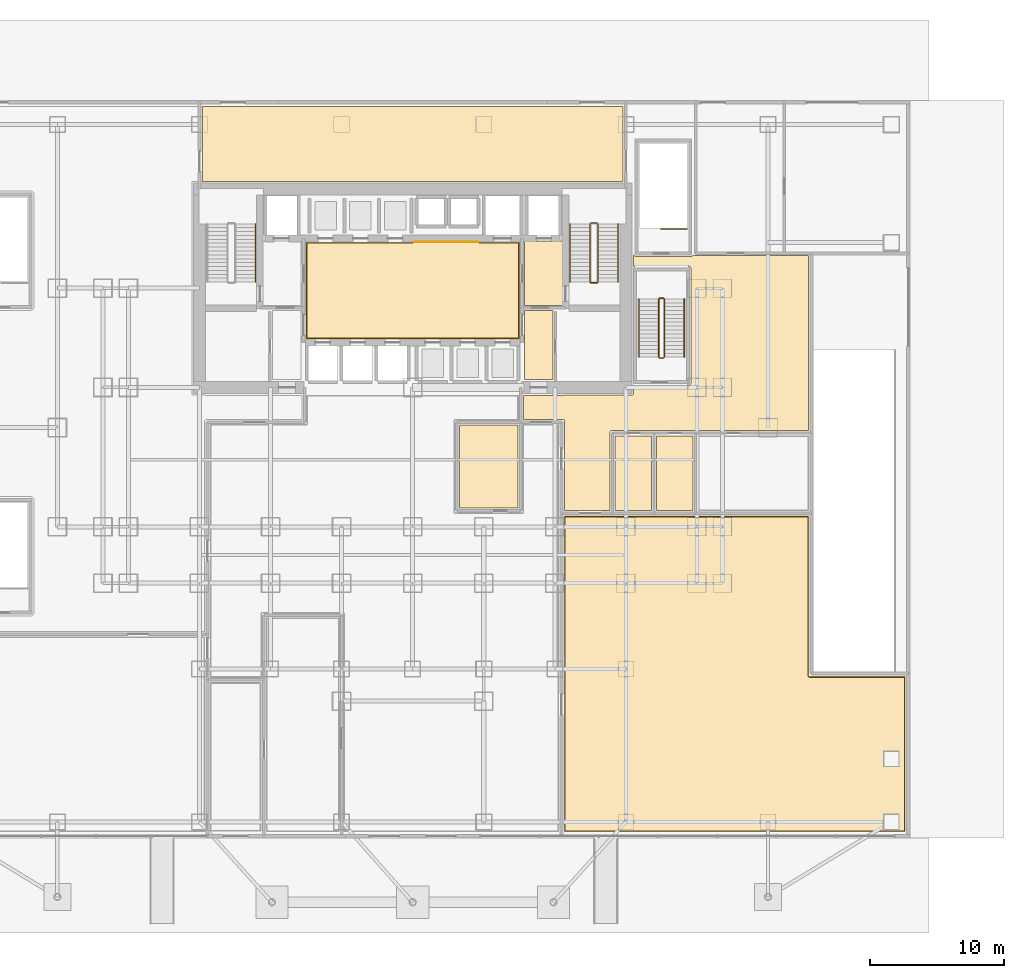
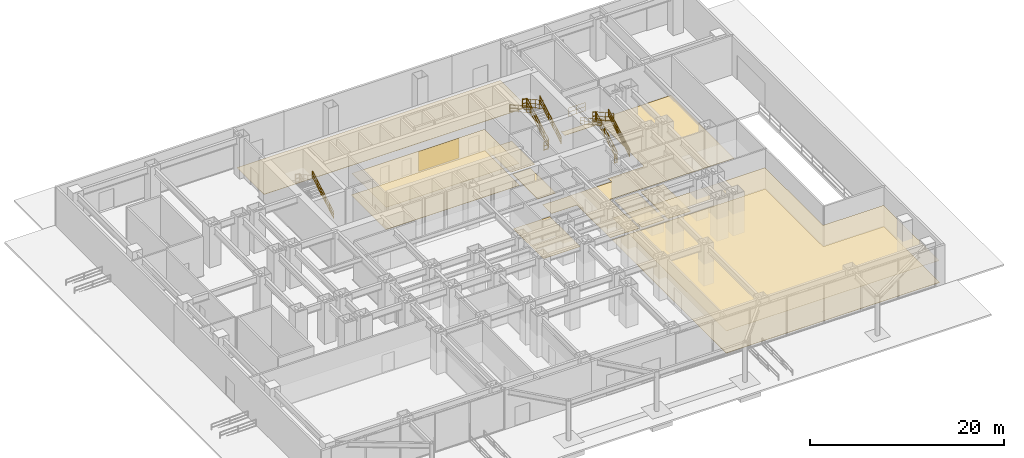
# One storey, part 16 of 18: 14 railings, 12 coverings.
"""IFC4 building model written with IfcOpenShell, lengths in metres."""

from ifc_helpers import new_model, si_unit, direction, frame, origin, origin_2d, place, context, subcontext, project, spatial, polyline, circle, outline, extrude, material, layer, layer_set, type_object, element, save


model = new_model("IFC4")

# Units and contexts
model_context = context("Model", 3, precision=1e-05, world=origin(), true_north=direction((0.0, 1.0)))
body_context = subcontext(model_context, "Body", "Model", "MODEL_VIEW")
ifc_project = project(units=[si_unit("LENGTHUNIT", "METRE"), si_unit("AREAUNIT", "SQUARE_METRE"), si_unit("VOLUMEUNIT", "CUBIC_METRE"), si_unit("PLANEANGLEUNIT", "RADIAN"), si_unit("MASSUNIT", "GRAM", prefix="KILO")], contexts=[model_context])

# Site, building, storey
site_placement = place(None, origin())
site = spatial("IfcSite", under=ifc_project, at=site_placement, CompositionType="ELEMENT")
building_placement = place(site_placement, origin())
building = spatial("IfcBuilding", under=site, at=building_placement, Name="Qianlan Lanfeng Residences", CompositionType="ELEMENT")
storey_placement = place(building_placement, origin())
storey = spatial("IfcBuildingStorey", under=building, at=storey_placement, Name="L00", CompositionType="ELEMENT", Elevation=0.0)

# Coverings
ifc_material_1 = material(Name="Anodised Bronze Feature Wall Cladding")
ifc_layer_1 = layer(ifc_material_1, 0.02490234375)
ifc_layer_set_1 = layer_set([ifc_layer_1], Name="Anodised Bronze Feature Wall Cladding")
covering_type_1 = type_object("IfcCoveringType", Name="CLD-BRZ-25", PredefinedType="CLADDING", material=ifc_layer_set_1)
covering_1_placement = place(storey_placement, frame((0.0, 0.0, 0.14990234375)))
element("IfcCovering", 1, at=covering_1_placement, inside=storey, type_object=covering_type_1, Name="L00 Lift Lobby Bronze Feature Cladding", PredefinedType="CLADDING", context=body_context, shape_type="SweptSolid", body=[
    extrude(outline(polyline([(26.60009765625, 36.02490234375), (31.39990234375, 36.02490234375), (31.39990234375, 36.050048828125), (26.60009765625, 36.050048828125), (26.60009765625, 36.02490234375)])), origin(), (0.0, 0.0, 1.0), 2.5),
])
ifc_material_2 = material(Name="Acoustic Perforated Gypsum Ceiling Board")
ifc_layer_2 = layer(ifc_material_2, 0.02001953125)
ifc_layer_set_2 = layer_set([ifc_layer_2], Name="Acoustic Perforated Gypsum Ceiling Board")
covering_type_2 = type_object("IfcCoveringType", Name="CLG-GYP-15", PredefinedType="CEILING", material=ifc_layer_set_2)
covering_2_placement = place(storey_placement, frame((0.0, 0.0, 2.75)))
element("IfcCovering", 2, at=covering_2_placement, inside=storey, type_object=covering_type_2, Name="L00 Lift Lobby Suspended Ceiling", PredefinedType="CEILING", context=body_context, shape_type="SweptSolid", body=[
    extrude(outline(polyline([(18.60009765625, 28.8701171875), (34.39990234375, 28.8701171875), (34.39990234375, 35.9599609375), (18.60009765625, 35.9599609375), (18.60009765625, 28.8701171875)])), origin(), (0.0, 0.0, 1.0), 0.02001953125),
])
covering_3_placement = place(storey_placement, frame((0.0, 0.0, 2.75)))
element("IfcCovering", 3, at=covering_3_placement, inside=storey, type_object=covering_type_2, Name="L00 Harbour Retail Gallery Suspended Ceiling", PredefinedType="CEILING", context=body_context, shape_type="SweptSolid", body=[
    extrude(outline(polyline([(63.179931640625, -7.8798828125), (63.179931640625, 3.580078125), (56.10009765625, 3.580078125), (56.087890625, 3.5810546875), (56.076904296875, 3.58203125), (56.06494140625, 3.5849609375), (56.053955078125, 3.589111328125), (56.04296875, 3.593994140625), (56.032958984375, 3.60009765625), (56.02392578125, 3.60693359375), (56.014892578125, 3.614990234375), (56.007080078125, 3.6240234375), (56.0, 3.633056640625), (55.993896484375, 3.64306640625), (55.989013671875, 3.654052734375), (55.985107421875, 3.6650390625), (55.98193359375, 3.677001953125), (55.98095703125, 3.68798828125), (55.97998046875, 3.699951171875), (55.97998046875, 15.5400390625), (37.860107421875, 15.5400390625), (37.860107421875, -7.8798828125), (63.179931640625, -7.8798828125)])), origin(), (0.0, 0.0, 1.0), 0.02001953125),
])
ifc_material_3 = material(Name="Honed Taitung Granite Stone Flooring", Category="masonry")
ifc_layer_3 = layer(ifc_material_3, 0.030029296875)
ifc_layer_set_3 = layer_set([ifc_layer_3], Name="Honed Taitung Granite Stone Flooring")
covering_type_3 = type_object("IfcCoveringType", Name="FLR-STN-30", PredefinedType="FLOORING", material=ifc_layer_set_3)
covering_4_placement = place(storey_placement, origin())
element("IfcCovering", 4, at=covering_4_placement, inside=storey, type_object=covering_type_3, Name="L00 Firefighting Lift Lobby Floor Finish", PredefinedType="FLOORING", context=body_context, shape_type="SweptSolid", body=[
    extrude(outline(polyline([(34.820068359375, 31.320068359375), (37.7099609375, 31.320068359375), (37.7099609375, 36.110107421875), (34.820068359375, 36.110107421875), (34.820068359375, 31.320068359375)])), origin(), (0.0, 0.0, 1.0), 0.030029296875),
])
covering_5_placement = place(storey_placement, origin())
element("IfcCovering", 5, at=covering_5_placement, inside=storey, type_object=covering_type_3, Name="L00 Lift Lobby Floor Finish", PredefinedType="FLOORING", context=body_context, shape_type="SweptSolid", body=[
    extrude(outline(polyline([(18.550048828125, 28.820068359375), (34.449951171875, 28.820068359375), (34.449951171875, 36.010009765625), (18.550048828125, 36.010009765625), (18.550048828125, 28.820068359375)])), origin(), (0.0, 0.0, 1.0), 0.030029296875),
])
covering_6_placement = place(storey_placement, origin())
element("IfcCovering", 6, at=covering_6_placement, inside=storey, type_object=covering_type_3, Name="L00 Harbour Retail Gallery Floor Finish", PredefinedType="FLOORING", context=body_context, shape_type="SweptSolid", body=[
    extrude(outline(polyline([(63.22998046875, -7.929931640625), (63.22998046875, 3.6298828125), (56.10009765625, 3.6298828125), (56.093017578125, 3.6298828125), (56.0859375, 3.631103515625), (56.080078125, 3.633056640625), (56.072998046875, 3.635009765625), (56.06689453125, 3.637939453125), (56.06103515625, 3.64208984375), (56.055908203125, 3.64599609375), (56.051025390625, 3.65087890625), (56.0458984375, 3.656005859375), (56.0419921875, 3.660888671875), (56.0380859375, 3.6669921875), (56.034912109375, 3.673095703125), (56.032958984375, 3.679931640625), (56.031005859375, 3.68603515625), (56.030029296875, 3.693115234375), (56.030029296875, 3.699951171875), (56.030029296875, 15.590087890625), (37.81005859375, 15.590087890625), (37.81005859375, -7.929931640625), (63.22998046875, -7.929931640625)])), origin(), (0.0, 0.0, 1.0), 0.030029296875),
])
covering_7_placement = place(storey_placement, origin())
element("IfcCovering", 7, at=covering_7_placement, inside=storey, type_object=covering_type_3, Name="L00 North Service Passage Floor Finish", PredefinedType="FLOORING", context=body_context, shape_type="SweptSolid", body=[
    extrude(outline(polyline([(10.81005859375, 40.570068359375), (42.18994140625, 40.570068359375), (42.18994140625, 46.14990234375), (10.81005859375, 46.14990234375), (10.81005859375, 40.570068359375)])), origin(), (0.0, 0.0, 1.0), 0.030029296875),
])
covering_8_placement = place(storey_placement, origin())
element("IfcCovering", 8, at=covering_8_placement, inside=storey, type_object=covering_type_3, Name="L00 Lift Lobby Floor Finish", PredefinedType="FLOORING", context=body_context, shape_type="SweptSolid", body=[
    extrude(outline(polyline([(34.830078125, 25.77001953125), (36.969970703125, 25.77001953125), (36.969970703125, 30.949951171875), (34.830078125, 30.949951171875), (34.830078125, 25.77001953125)])), origin(), (0.0, 0.0, 1.0), 0.030029296875),
])
covering_9_placement = place(storey_placement, origin())
element("IfcCovering", 9, at=covering_9_placement, inside=storey, type_object=covering_type_3, Name="L00 East Ground Exit Corridor Floor Finish", PredefinedType="FLOORING", context=body_context, shape_type="SweptSolid", body=[
    extrude(outline(polyline([(37.7890625, 24.6298828125), (37.783935546875, 24.6259765625), (37.779052734375, 24.6220703125), (37.77294921875, 24.617919921875), (37.76708984375, 24.614990234375), (37.760009765625, 24.613037109375), (37.75390625, 24.611083984375), (37.7470703125, 24.610107421875), (37.739990234375, 24.610107421875), (34.75, 24.610107421875), (34.75, 22.7900390625), (37.739990234375, 22.7900390625), (37.7470703125, 22.7900390625), (37.75390625, 22.7890625), (37.760009765625, 22.787109375), (37.76708984375, 22.784912109375), (37.77294921875, 22.781982421875), (37.779052734375, 22.778076171875), (37.783935546875, 22.77392578125), (37.7890625, 22.76904296875), (37.7939453125, 22.763916015625), (37.798095703125, 22.759033203125), (37.802001953125, 22.7529296875), (37.804931640625, 22.7470703125), (37.806884765625, 22.739990234375), (37.80908203125, 22.73388671875), (37.81005859375, 22.72705078125), (37.81005859375, 22.719970703125), (37.81005859375, 16.010009765625), (41.22998046875, 16.010009765625), (41.22998046875, 21.89990234375), (41.22998046875, 21.906982421875), (41.23095703125, 21.9140625), (41.23291015625, 21.919921875), (41.235107421875, 21.927001953125), (41.238037109375, 21.93310546875), (41.241943359375, 21.93896484375), (41.24609375, 21.944091796875), (41.2509765625, 21.948974609375), (41.256103515625, 21.9541015625), (41.260986328125, 21.9580078125), (41.26708984375, 21.9619140625), (41.27294921875, 21.965087890625), (41.280029296875, 21.967041015625), (41.285888671875, 21.968994140625), (41.29296875, 21.969970703125), (41.300048828125, 21.969970703125), (56.030029296875, 21.969970703125), (56.030029296875, 35.030029296875), (47.5, 35.030029296875), (47.492919921875, 35.030029296875), (47.486083984375, 35.031005859375), (47.47998046875, 35.032958984375), (47.472900390625, 35.034912109375), (47.467041015625, 35.0380859375), (47.4609375, 35.0419921875), (47.4560546875, 35.0458984375), (47.450927734375, 35.051025390625), (47.446044921875, 35.055908203125), (47.44189453125, 35.06103515625), (47.43798828125, 35.06689453125), (47.43505859375, 35.072998046875), (47.43310546875, 35.080078125), (47.430908203125, 35.0859375), (47.429931640625, 35.093017578125), (47.429931640625, 35.10009765625), (47.429931640625, 35.10205078125), (47.419921875, 35.08203125), (47.407958984375, 35.06103515625), (47.39306640625, 35.041015625), (47.376953125, 35.02294921875), (47.35888671875, 35.007080078125), (47.339111328125, 34.991943359375), (47.318115234375, 34.97998046875), (47.2958984375, 34.968994140625), (47.27294921875, 34.9609375), (47.2490234375, 34.955078125), (47.22509765625, 34.950927734375), (47.199951171875, 34.949951171875), (43.199951171875, 34.949951171875), (43.175048828125, 34.950927734375), (43.15087890625, 34.955078125), (43.126953125, 34.9609375), (43.10400390625, 34.968994140625), (43.08203125, 34.97998046875), (43.06103515625, 34.991943359375), (43.041015625, 35.007080078125), (43.02294921875, 35.02294921875), (43.007080078125, 35.041015625), (42.991943359375, 35.06103515625), (42.97998046875, 35.08203125), (42.969970703125, 35.10205078125), (42.969970703125, 34.22412109375), (42.98388671875, 34.23095703125), (43.007080078125, 34.239013671875), (43.031005859375, 34.2451171875), (43.054931640625, 34.2490234375), (43.080078125, 34.25), (47.02001953125, 34.25), (47.044921875, 34.2490234375), (47.069091796875, 34.2451171875), (47.093017578125, 34.239013671875), (47.115966796875, 34.23095703125), (47.137939453125, 34.219970703125), (47.158935546875, 34.2080078125), (47.178955078125, 34.193115234375), (47.197021484375, 34.177001953125), (47.212890625, 34.158935546875), (47.22802734375, 34.138916015625), (47.239990234375, 34.117919921875), (47.2509765625, 34.095947265625), (47.259033203125, 34.072998046875), (47.264892578125, 34.049072265625), (47.26904296875, 34.02490234375), (47.27001953125, 34.0), (47.27001953125, 25.60009765625), (47.26904296875, 25.574951171875), (47.264892578125, 25.551025390625), (47.259033203125, 25.527099609375), (47.2509765625, 25.50390625), (47.239990234375, 25.48193359375), (47.22802734375, 25.4609375), (47.212890625, 25.44091796875), (47.197021484375, 25.423095703125), (47.178955078125, 25.406982421875), (47.158935546875, 25.39208984375), (47.137939453125, 25.3798828125), (47.115966796875, 25.368896484375), (47.093017578125, 25.361083984375), (47.069091796875, 25.35498046875), (47.044921875, 25.35107421875), (47.02001953125, 25.35009765625), (43.080078125, 25.35009765625), (43.054931640625, 25.35107421875), (43.031005859375, 25.35498046875), (43.007080078125, 25.361083984375), (42.98388671875, 25.368896484375), (42.969970703125, 25.3759765625), (42.969970703125, 24.699951171875), (42.969970703125, 24.693115234375), (42.968994140625, 24.68603515625), (42.967041015625, 24.679931640625), (42.965087890625, 24.673095703125), (42.9619140625, 24.6669921875), (42.9580078125, 24.660888671875), (42.9541015625, 24.656005859375), (42.948974609375, 24.65087890625), (42.944091796875, 24.64599609375), (42.93896484375, 24.64208984375), (42.93310546875, 24.637939453125), (42.927001953125, 24.635009765625), (42.919921875, 24.633056640625), (42.9140625, 24.631103515625), (42.906982421875, 24.6298828125), (42.89990234375, 24.6298828125), (37.7890625, 24.6298828125)])), origin(), (0.0, 0.0, 1.0), 0.030029296875),
])
ifc_material_4 = material(Name="Slip-Resistant Porcelain Tile Flooring")
ifc_layer_4 = layer(ifc_material_4, 0.02001953125)
ifc_layer_set_4 = layer_set([ifc_layer_4], Name="Slip-Resistant Porcelain Tile Flooring")
covering_type_4 = type_object("IfcCoveringType", Name="FLR-TIL-20", PredefinedType="FLOORING", material=ifc_layer_set_4)
covering_10_placement = place(storey_placement, origin())
element("IfcCovering", 10, at=covering_10_placement, inside=storey, type_object=covering_type_4, Name="L00 Mail and Parcel Room Floor Finish", PredefinedType="FLOORING", context=body_context, shape_type="SweptSolid", body=[
    extrude(outline(polyline([(29.989990234375, 16.18994140625), (34.360107421875, 16.18994140625), (34.360107421875, 22.409912109375), (29.989990234375, 22.409912109375), (29.989990234375, 16.18994140625)])), origin(), (0.0, 0.0, 1.0), 0.02001953125),
])
covering_11_placement = place(storey_placement, origin())
element("IfcCovering", 11, at=covering_11_placement, inside=storey, type_object=covering_type_4, Name="L00 Public Restroom Floor Finish", PredefinedType="FLOORING", context=body_context, shape_type="SweptSolid", body=[
    extrude(outline(polyline([(41.590087890625, 16.010009765625), (44.31005859375, 16.010009765625), (44.31005859375, 21.590087890625), (41.590087890625, 21.590087890625), (41.590087890625, 16.010009765625)])), origin(), (0.0, 0.0, 1.0), 0.02001953125),
])
covering_12_placement = place(storey_placement, origin())
element("IfcCovering", 12, at=covering_12_placement, inside=storey, type_object=covering_type_4, Name="L00 Accessible WC Floor Finish", PredefinedType="FLOORING", context=body_context, shape_type="SweptSolid", body=[
    extrude(outline(polyline([(44.68994140625, 16.010009765625), (47.409912109375, 16.010009765625), (47.409912109375, 21.590087890625), (44.68994140625, 21.590087890625), (44.68994140625, 16.010009765625)])), origin(), (0.0, 0.0, 1.0), 0.02001953125),
])

# Railings
ifc_material_5 = material(Name="Painted Galvanised Steel Guardrail", Category="steel")
railing_type_1 = type_object("IfcRailingType", Name="GR-ST-1120", PredefinedType="GUARDRAIL", material=ifc_material_5)
railing_1_placement = place(storey_placement, frame((40.31005859375, 33.050048828125, 0.16259765625)))
element("IfcRailing", 13, at=railing_1_placement, inside=storey, type_object=railing_type_1, Name="L00 ST-2 stair guard 1", PredefinedType="GUARDRAIL", context=body_context, shape_type="SweptSolid", body=[
    extrude(circle(Radius=0.02392578125, at=origin_2d()), frame((0.0, 0.0, 0.083984375), z_axis=(0.0, 0.872370723449, 0.488844884263), x_axis=(-1.0, 0.0, 0.0)), (0.0, 0.0, 1.0), 4.986328125),
    extrude(circle(Radius=0.02392578125, at=origin_2d()), frame((0.0, 0.0, 0.58251953125), z_axis=(0.0, 0.872370723449, 0.488844884263), x_axis=(-1.0, 0.0, 0.0)), (0.0, 0.0, 1.0), 4.986328125),
    extrude(circle(Radius=0.02392578125, at=origin_2d()), frame((0.0, 0.0, 1.09619140625), z_axis=(0.0, 0.872370723449, 0.488844884263), x_axis=(-1.0, 0.0, 0.0)), (0.0, 0.0, 1.0), 4.986328125),
    extrude(circle(Radius=0.02099609375, at=origin_2d()), origin(), (0.0, 0.0, 1.0), 1.072021484375),
    extrude(circle(Radius=0.02099609375, at=origin_2d()), frame((0.0, 0.869873046875, 0.487548828125)), (0.0, 0.0, 1.0), 1.072021484375),
    extrude(circle(Radius=0.02099609375, at=origin_2d()), frame((0.0, 1.739990234375, 0.97509765625)), (0.0, 0.0, 1.0), 1.072021484375),
    extrude(circle(Radius=0.02099609375, at=origin_2d()), frame((0.0, 2.60986328125, 1.46240234375)), (0.0, 0.0, 1.0), 1.072021484375),
    extrude(circle(Radius=0.02099609375, at=origin_2d()), frame((0.0, 3.47998046875, 1.949951171875)), (0.0, 0.0, 1.0), 1.072021484375),
    extrude(circle(Radius=0.02099609375, at=origin_2d()), frame((0.0, 4.349853515625, 2.4375)), (0.0, 0.0, 1.0), 1.072021484375),
])
railing_2_placement = place(storey_placement, frame((40.260009765625, 37.449951171875, 2.60009765625)))
element("IfcRailing", 14, at=railing_2_placement, inside=storey, type_object=railing_type_1, Name="L00 ST-2 stair guard 2", PredefinedType="GUARDRAIL", context=body_context, shape_type="SweptSolid", body=[
    extrude(circle(Radius=0.02392578125, at=origin_2d()), frame((0.0, 0.0, 0.083984375), z_axis=(-1.0, 0.0, 0.0), x_axis=(0.0, -1.0, 0.0)), (0.0, 0.0, 1.0), 0.47998046875),
    extrude(circle(Radius=0.02392578125, at=origin_2d()), frame((0.0, 0.0, 0.58251953125), z_axis=(-1.0, 0.0, 0.0), x_axis=(0.0, -1.0, 0.0)), (0.0, 0.0, 1.0), 0.47998046875),
    extrude(circle(Radius=0.02392578125, at=origin_2d()), frame((0.0, 0.0, 1.09619140625), z_axis=(-1.0, 0.0, 0.0), x_axis=(0.0, -1.0, 0.0)), (0.0, 0.0, 1.0), 0.47998046875),
    extrude(circle(Radius=0.02099609375, at=origin_2d()), origin(), (0.0, 0.0, 1.0), 1.072021484375),
    extrude(circle(Radius=0.02099609375, at=origin_2d()), frame((-0.47998046875, 0.0, 0.0)), (0.0, 0.0, 1.0), 1.072021484375),
])
railing_3_placement = place(storey_placement, frame((39.72998046875, 37.39990234375, 2.762451171875)))
element("IfcRailing", 15, at=railing_3_placement, inside=storey, type_object=railing_type_1, Name="L00 ST-2 stair guard 3", PredefinedType="GUARDRAIL", context=body_context, shape_type="SweptSolid", body=[
    extrude(circle(Radius=0.02392578125, at=origin_2d()), frame((0.0, 0.0, 0.083984375), z_axis=(0.0, -0.872370723449, 0.488844884263), x_axis=(1.0, 0.0, 0.0)), (0.0, 0.0, 1.0), 4.986328125),
    extrude(circle(Radius=0.02392578125, at=origin_2d()), frame((0.0, 0.0, 0.58251953125), z_axis=(0.0, -0.872370723449, 0.488844884263), x_axis=(1.0, 0.0, 0.0)), (0.0, 0.0, 1.0), 4.986328125),
    extrude(circle(Radius=0.02392578125, at=origin_2d()), frame((0.0, 0.0, 1.09619140625), z_axis=(0.0, -0.872370723449, 0.488844884263), x_axis=(1.0, 0.0, 0.0)), (0.0, 0.0, 1.0), 4.986328125),
    extrude(circle(Radius=0.02099609375, at=origin_2d()), origin(), (0.0, 0.0, 1.0), 1.072021484375),
    extrude(circle(Radius=0.02099609375, at=origin_2d()), frame((0.0, -0.869873046875, 0.487548828125)), (0.0, 0.0, 1.0), 1.072021484375),
    extrude(circle(Radius=0.02099609375, at=origin_2d()), frame((0.0, -1.739990234375, 0.97509765625)), (0.0, 0.0, 1.0), 1.072021484375),
    extrude(circle(Radius=0.02099609375, at=origin_2d()), frame((0.0, -2.60986328125, 1.46240234375)), (0.0, 0.0, 1.0), 1.072021484375),
    extrude(circle(Radius=0.02099609375, at=origin_2d()), frame((0.0, -3.47998046875, 1.949951171875)), (0.0, 0.0, 1.0), 1.072021484375),
    extrude(circle(Radius=0.02099609375, at=origin_2d()), frame((0.0, -4.349853515625, 2.4375)), (0.0, 0.0, 1.0), 1.072021484375),
])
railing_4_placement = place(storey_placement, frame((40.260009765625, 33.0, 0.0)))
element("IfcRailing", 16, at=railing_4_placement, inside=storey, type_object=railing_type_1, Name="L00 ST-2 stair guard 4", PredefinedType="GUARDRAIL", context=body_context, shape_type="SweptSolid", body=[
    extrude(circle(Radius=0.02392578125, at=origin_2d()), frame((0.0, 0.0, 0.083984375), z_axis=(-1.0, 0.0, 0.0), x_axis=(0.0, -1.0, 0.0)), (0.0, 0.0, 1.0), 0.47998046875),
    extrude(circle(Radius=0.02392578125, at=origin_2d()), frame((0.0, 0.0, 0.58251953125), z_axis=(-1.0, 0.0, 0.0), x_axis=(0.0, -1.0, 0.0)), (0.0, 0.0, 1.0), 0.47998046875),
    extrude(circle(Radius=0.02392578125, at=origin_2d()), frame((0.0, 0.0, 1.09619140625), z_axis=(-1.0, 0.0, 0.0), x_axis=(0.0, -1.0, 0.0)), (0.0, 0.0, 1.0), 0.47998046875),
    extrude(circle(Radius=0.02099609375, at=origin_2d()), origin(), (0.0, 0.0, 1.0), 1.072021484375),
    extrude(circle(Radius=0.02099609375, at=origin_2d()), frame((-0.47998046875, 0.0, 0.0)), (0.0, 0.0, 1.0), 1.072021484375),
])
railing_5_placement = place(storey_placement, frame((45.27001953125, 27.449951171875, 0.16259765625)))
element("IfcRailing", 17, at=railing_5_placement, inside=storey, type_object=railing_type_1, Name="L00 ST-P1 stair guard 1", PredefinedType="GUARDRAIL", context=body_context, shape_type="SweptSolid", body=[
    extrude(circle(Radius=0.02392578125, at=origin_2d()), frame((0.0, 0.0, 0.083984375), z_axis=(0.0, 0.872382423313, 0.488824004622), x_axis=(-1.0, 0.0, 0.0)), (0.0, 0.0, 1.0), 4.986572265625),
    extrude(circle(Radius=0.02392578125, at=origin_2d()), frame((0.0, 0.0, 0.58251953125), z_axis=(0.0, 0.872382423313, 0.488824004622), x_axis=(-1.0, 0.0, 0.0)), (0.0, 0.0, 1.0), 4.986572265625),
    extrude(circle(Radius=0.02392578125, at=origin_2d()), frame((0.0, 0.0, 1.09619140625), z_axis=(0.0, 0.872382423313, 0.488824004622), x_axis=(-1.0, 0.0, 0.0)), (0.0, 0.0, 1.0), 4.986572265625),
    extrude(circle(Radius=0.02099609375, at=origin_2d()), origin(), (0.0, 0.0, 1.0), 1.072021484375),
    extrude(circle(Radius=0.02099609375, at=origin_2d()), frame((0.0, 0.8701171875, 0.487548828125)), (0.0, 0.0, 1.0), 1.072021484375),
    extrude(circle(Radius=0.02099609375, at=origin_2d()), frame((0.0, 1.739990234375, 0.97509765625)), (0.0, 0.0, 1.0), 1.072021484375),
    extrude(circle(Radius=0.02099609375, at=origin_2d()), frame((0.0, 2.610107421875, 1.46240234375)), (0.0, 0.0, 1.0), 1.072021484375),
    extrude(circle(Radius=0.02099609375, at=origin_2d()), frame((0.0, 3.47998046875, 1.949951171875)), (0.0, 0.0, 1.0), 1.072021484375),
    extrude(circle(Radius=0.02099609375, at=origin_2d()), frame((0.0, 4.35009765625, 2.4375)), (0.0, 0.0, 1.0), 1.072021484375),
])
railing_6_placement = place(storey_placement, frame((45.219970703125, 31.85009765625, 2.60009765625)))
element("IfcRailing", 18, at=railing_6_placement, inside=storey, type_object=railing_type_1, Name="L00 ST-P1 stair guard 2", PredefinedType="GUARDRAIL", context=body_context, shape_type="SweptSolid", body=[
    extrude(circle(Radius=0.02392578125, at=origin_2d()), frame((0.0, 0.0, 0.083984375), z_axis=(-1.0, 0.0, 0.0), x_axis=(0.0, -1.0, 0.0)), (0.0, 0.0, 1.0), 0.320068359375),
    extrude(circle(Radius=0.02392578125, at=origin_2d()), frame((0.0, 0.0, 0.58251953125), z_axis=(-1.0, 0.0, 0.0), x_axis=(0.0, -1.0, 0.0)), (0.0, 0.0, 1.0), 0.320068359375),
    extrude(circle(Radius=0.02392578125, at=origin_2d()), frame((0.0, 0.0, 1.09619140625), z_axis=(-1.0, 0.0, 0.0), x_axis=(0.0, -1.0, 0.0)), (0.0, 0.0, 1.0), 0.320068359375),
    extrude(circle(Radius=0.02099609375, at=origin_2d()), origin(), (0.0, 0.0, 1.0), 1.072021484375),
    extrude(circle(Radius=0.02099609375, at=origin_2d()), frame((-0.320068359375, 0.0, 0.0)), (0.0, 0.0, 1.0), 1.072021484375),
])
railing_7_placement = place(storey_placement, frame((44.85009765625, 31.800048828125, 2.762451171875)))
element("IfcRailing", 19, at=railing_7_placement, inside=storey, type_object=railing_type_1, Name="L00 ST-P1 stair guard 3", PredefinedType="GUARDRAIL", context=body_context, shape_type="SweptSolid", body=[
    extrude(circle(Radius=0.02392578125, at=origin_2d()), frame((0.0, 0.0, 0.083984375), z_axis=(0.0, -0.872382423313, 0.488824004622), x_axis=(1.0, 0.0, 0.0)), (0.0, 0.0, 1.0), 4.986572265625),
    extrude(circle(Radius=0.02392578125, at=origin_2d()), frame((0.0, 0.0, 0.58251953125), z_axis=(0.0, -0.872382423313, 0.488824004622), x_axis=(1.0, 0.0, 0.0)), (0.0, 0.0, 1.0), 4.986572265625),
    extrude(circle(Radius=0.02392578125, at=origin_2d()), frame((0.0, 0.0, 1.09619140625), z_axis=(0.0, -0.872382423313, 0.488824004622), x_axis=(1.0, 0.0, 0.0)), (0.0, 0.0, 1.0), 4.986572265625),
    extrude(circle(Radius=0.02099609375, at=origin_2d()), origin(), (0.0, 0.0, 1.0), 1.072021484375),
    extrude(circle(Radius=0.02099609375, at=origin_2d()), frame((0.0, -0.8701171875, 0.487548828125)), (0.0, 0.0, 1.0), 1.072021484375),
    extrude(circle(Radius=0.02099609375, at=origin_2d()), frame((0.0, -1.739990234375, 0.97509765625)), (0.0, 0.0, 1.0), 1.072021484375),
    extrude(circle(Radius=0.02099609375, at=origin_2d()), frame((0.0, -2.610107421875, 1.46240234375)), (0.0, 0.0, 1.0), 1.072021484375),
    extrude(circle(Radius=0.02099609375, at=origin_2d()), frame((0.0, -3.47998046875, 1.949951171875)), (0.0, 0.0, 1.0), 1.072021484375),
    extrude(circle(Radius=0.02099609375, at=origin_2d()), frame((0.0, -4.35009765625, 2.4375)), (0.0, 0.0, 1.0), 1.072021484375),
])
railing_8_placement = place(storey_placement, frame((45.219970703125, 27.39990234375, 0.0)))
element("IfcRailing", 20, at=railing_8_placement, inside=storey, type_object=railing_type_1, Name="L00 ST-P1 stair guard 4", PredefinedType="GUARDRAIL", context=body_context, shape_type="SweptSolid", body=[
    extrude(circle(Radius=0.02392578125, at=origin_2d()), frame((0.0, 0.0, 0.083984375), z_axis=(-1.0, 0.0, 0.0), x_axis=(0.0, -1.0, 0.0)), (0.0, 0.0, 1.0), 0.320068359375),
    extrude(circle(Radius=0.02392578125, at=origin_2d()), frame((0.0, 0.0, 0.58251953125), z_axis=(-1.0, 0.0, 0.0), x_axis=(0.0, -1.0, 0.0)), (0.0, 0.0, 1.0), 0.320068359375),
    extrude(circle(Radius=0.02392578125, at=origin_2d()), frame((0.0, 0.0, 1.09619140625), z_axis=(-1.0, 0.0, 0.0), x_axis=(0.0, -1.0, 0.0)), (0.0, 0.0, 1.0), 0.320068359375),
    extrude(circle(Radius=0.02099609375, at=origin_2d()), origin(), (0.0, 0.0, 1.0), 1.072021484375),
    extrude(circle(Radius=0.02099609375, at=origin_2d()), frame((-0.320068359375, 0.0, 0.0)), (0.0, 0.0, 1.0), 1.072021484375),
])
railing_9_placement = place(storey_placement, frame((46.969970703125, 37.0, 0.0)))
element("IfcRailing", 21, at=railing_9_placement, inside=storey, type_object=railing_type_1, Name="L00 ST-B2 top well guard 1", PredefinedType="GUARDRAIL", context=body_context, shape_type="SweptSolid", body=[
    extrude(circle(Radius=0.02392578125, at=origin_2d()), frame((0.0, 0.0, 0.083984375), z_axis=(-1.0, 0.0, 0.0), x_axis=(0.0, -1.0, 0.0)), (0.0, 0.0, 1.0), 1.9599609375),
    extrude(circle(Radius=0.02392578125, at=origin_2d()), frame((0.0, 0.0, 0.58251953125), z_axis=(-1.0, 0.0, 0.0), x_axis=(0.0, -1.0, 0.0)), (0.0, 0.0, 1.0), 1.9599609375),
    extrude(circle(Radius=0.02392578125, at=origin_2d()), frame((0.0, 0.0, 1.09619140625), z_axis=(-1.0, 0.0, 0.0), x_axis=(0.0, -1.0, 0.0)), (0.0, 0.0, 1.0), 1.9599609375),
    extrude(circle(Radius=0.02099609375, at=origin_2d()), origin(), (0.0, 0.0, 1.0), 1.072021484375),
    extrude(circle(Radius=0.02099609375, at=origin_2d()), frame((-0.97998046875, 0.0, 0.0)), (0.0, 0.0, 1.0), 1.072021484375),
    extrude(circle(Radius=0.02099609375, at=origin_2d()), frame((-1.9599609375, 0.0, 0.0)), (0.0, 0.0, 1.0), 1.072021484375),
])
ifc_material_6 = material(Name="Brushed Stainless Steel Handrail", Category="steel")
railing_type_2 = type_object("IfcRailingType", Name="HR-ST-920", PredefinedType="HANDRAIL", material=ifc_material_6)
for number, where, name in (
    (22, (14.77001953125, 33.050048828125, 0.16259765625), "L00 ST-1 stair handrail 1"),
    (23, (41.81005859375, 33.050048828125, 0.16259765625), "L00 ST-2 stair handrail 1"),
):
    element("IfcRailing", number, at=place(storey_placement, frame(where)), inside=storey, type_object=railing_type_2, Name=name, PredefinedType="HANDRAIL", context=body_context, shape_type="SweptSolid", body=[
        extrude(circle(Radius=0.02392578125, at=origin_2d()), frame((0.0, 0.0, 0.083984375), z_axis=(0.0, 0.872370723449, 0.488844884263), x_axis=(-1.0, 0.0, 0.0)), (0.0, 0.0, 1.0), 4.986328125),
        extrude(circle(Radius=0.02392578125, at=origin_2d()), frame((0.0, 0.0, 0.468017578125), z_axis=(0.0, 0.872370723449, 0.488844884263), x_axis=(-1.0, 0.0, 0.0)), (0.0, 0.0, 1.0), 4.986328125),
        extrude(circle(Radius=0.02392578125, at=origin_2d()), frame((0.0, 0.0, 0.8759765625), z_axis=(0.0, 0.872370723449, 0.488844884263), x_axis=(-1.0, 0.0, 0.0)), (0.0, 0.0, 1.0), 4.986328125),
        extrude(circle(Radius=0.02099609375, at=origin_2d()), origin(), (0.0, 0.0, 1.0), 0.851806640625),
        extrude(circle(Radius=0.02099609375, at=origin_2d()), frame((0.0, 0.869873046875, 0.487548828125)), (0.0, 0.0, 1.0), 0.851806640625),
        extrude(circle(Radius=0.02099609375, at=origin_2d()), frame((0.0, 1.739990234375, 0.97509765625)), (0.0, 0.0, 1.0), 0.851806640625),
        extrude(circle(Radius=0.02099609375, at=origin_2d()), frame((0.0, 2.60986328125, 1.46240234375)), (0.0, 0.0, 1.0), 0.851806640625),
        extrude(circle(Radius=0.02099609375, at=origin_2d()), frame((0.0, 3.47998046875, 1.949951171875)), (0.0, 0.0, 1.0), 0.851806640625),
        extrude(circle(Radius=0.02099609375, at=origin_2d()), frame((0.0, 4.349853515625, 2.4375)), (0.0, 0.0, 1.0), 0.851806640625),
    ])
railing_10_placement = place(storey_placement, frame((38.22998046875, 37.39990234375, 2.762451171875)))
element("IfcRailing", 24, at=railing_10_placement, inside=storey, type_object=railing_type_2, Name="L00 ST-2 stair handrail 2", PredefinedType="HANDRAIL", context=body_context, shape_type="SweptSolid", body=[
    extrude(circle(Radius=0.02392578125, at=origin_2d()), frame((0.0, 0.0, 0.083984375), z_axis=(0.0, -0.872370723449, 0.488844884263), x_axis=(1.0, 0.0, 0.0)), (0.0, 0.0, 1.0), 4.986328125),
    extrude(circle(Radius=0.02392578125, at=origin_2d()), frame((0.0, 0.0, 0.468017578125), z_axis=(0.0, -0.872370723449, 0.488844884263), x_axis=(1.0, 0.0, 0.0)), (0.0, 0.0, 1.0), 4.986328125),
    extrude(circle(Radius=0.02392578125, at=origin_2d()), frame((0.0, 0.0, 0.8759765625), z_axis=(0.0, -0.872370723449, 0.488844884263), x_axis=(1.0, 0.0, 0.0)), (0.0, 0.0, 1.0), 4.986328125),
    extrude(circle(Radius=0.02099609375, at=origin_2d()), origin(), (0.0, 0.0, 1.0), 0.851806640625),
    extrude(circle(Radius=0.02099609375, at=origin_2d()), frame((0.0, -0.869873046875, 0.487548828125)), (0.0, 0.0, 1.0), 0.851806640625),
    extrude(circle(Radius=0.02099609375, at=origin_2d()), frame((0.0, -1.739990234375, 0.97509765625)), (0.0, 0.0, 1.0), 0.851806640625),
    extrude(circle(Radius=0.02099609375, at=origin_2d()), frame((0.0, -2.60986328125, 1.46240234375)), (0.0, 0.0, 1.0), 0.851806640625),
    extrude(circle(Radius=0.02099609375, at=origin_2d()), frame((0.0, -3.47998046875, 1.949951171875)), (0.0, 0.0, 1.0), 0.851806640625),
    extrude(circle(Radius=0.02099609375, at=origin_2d()), frame((0.0, -4.349853515625, 2.4375)), (0.0, 0.0, 1.0), 0.851806640625),
])
railing_11_placement = place(storey_placement, frame((46.75, 27.449951171875, 0.16259765625)))
element("IfcRailing", 25, at=railing_11_placement, inside=storey, type_object=railing_type_2, Name="L00 ST-P1 stair handrail 1", PredefinedType="HANDRAIL", context=body_context, shape_type="SweptSolid", body=[
    extrude(circle(Radius=0.02392578125, at=origin_2d()), frame((0.0, 0.0, 0.083984375), z_axis=(0.0, 0.872382423313, 0.488824004622), x_axis=(-1.0, 0.0, 0.0)), (0.0, 0.0, 1.0), 4.986572265625),
    extrude(circle(Radius=0.02392578125, at=origin_2d()), frame((0.0, 0.0, 0.468017578125), z_axis=(0.0, 0.872382423313, 0.488824004622), x_axis=(-1.0, 0.0, 0.0)), (0.0, 0.0, 1.0), 4.986572265625),
    extrude(circle(Radius=0.02392578125, at=origin_2d()), frame((0.0, 0.0, 0.8759765625), z_axis=(0.0, 0.872382423313, 0.488824004622), x_axis=(-1.0, 0.0, 0.0)), (0.0, 0.0, 1.0), 4.986572265625),
    extrude(circle(Radius=0.02099609375, at=origin_2d()), origin(), (0.0, 0.0, 1.0), 0.851806640625),
    extrude(circle(Radius=0.02099609375, at=origin_2d()), frame((0.0, 0.8701171875, 0.487548828125)), (0.0, 0.0, 1.0), 0.851806640625),
    extrude(circle(Radius=0.02099609375, at=origin_2d()), frame((0.0, 1.739990234375, 0.97509765625)), (0.0, 0.0, 1.0), 0.851806640625),
    extrude(circle(Radius=0.02099609375, at=origin_2d()), frame((0.0, 2.610107421875, 1.46240234375)), (0.0, 0.0, 1.0), 0.851806640625),
    extrude(circle(Radius=0.02099609375, at=origin_2d()), frame((0.0, 3.47998046875, 1.949951171875)), (0.0, 0.0, 1.0), 0.851806640625),
    extrude(circle(Radius=0.02099609375, at=origin_2d()), frame((0.0, 4.35009765625, 2.4375)), (0.0, 0.0, 1.0), 0.851806640625),
])
railing_12_placement = place(storey_placement, frame((43.3701171875, 31.800048828125, 2.762451171875)))
element("IfcRailing", 26, at=railing_12_placement, inside=storey, type_object=railing_type_2, Name="L00 ST-P1 stair handrail 2", PredefinedType="HANDRAIL", context=body_context, shape_type="SweptSolid", body=[
    extrude(circle(Radius=0.02392578125, at=origin_2d()), frame((0.0, 0.0, 0.083984375), z_axis=(0.0, -0.872382423313, 0.488824004622), x_axis=(1.0, 0.0, 0.0)), (0.0, 0.0, 1.0), 4.986572265625),
    extrude(circle(Radius=0.02392578125, at=origin_2d()), frame((0.0, 0.0, 0.468017578125), z_axis=(0.0, -0.872382423313, 0.488824004622), x_axis=(1.0, 0.0, 0.0)), (0.0, 0.0, 1.0), 4.986572265625),
    extrude(circle(Radius=0.02392578125, at=origin_2d()), frame((0.0, 0.0, 0.8759765625), z_axis=(0.0, -0.872382423313, 0.488824004622), x_axis=(1.0, 0.0, 0.0)), (0.0, 0.0, 1.0), 4.986572265625),
    extrude(circle(Radius=0.02099609375, at=origin_2d()), origin(), (0.0, 0.0, 1.0), 0.851806640625),
    extrude(circle(Radius=0.02099609375, at=origin_2d()), frame((0.0, -0.8701171875, 0.487548828125)), (0.0, 0.0, 1.0), 0.851806640625),
    extrude(circle(Radius=0.02099609375, at=origin_2d()), frame((0.0, -1.739990234375, 0.97509765625)), (0.0, 0.0, 1.0), 0.851806640625),
    extrude(circle(Radius=0.02099609375, at=origin_2d()), frame((0.0, -2.610107421875, 1.46240234375)), (0.0, 0.0, 1.0), 0.851806640625),
    extrude(circle(Radius=0.02099609375, at=origin_2d()), frame((0.0, -3.47998046875, 1.949951171875)), (0.0, 0.0, 1.0), 0.851806640625),
    extrude(circle(Radius=0.02099609375, at=origin_2d()), frame((0.0, -4.35009765625, 2.4375)), (0.0, 0.0, 1.0), 0.851806640625),
])

save(model, "model.ifc")
